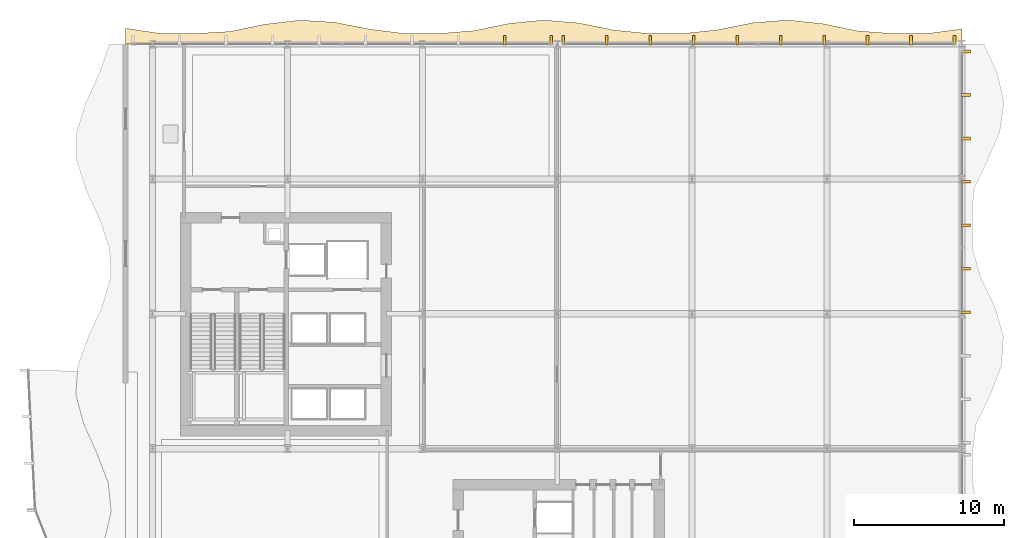
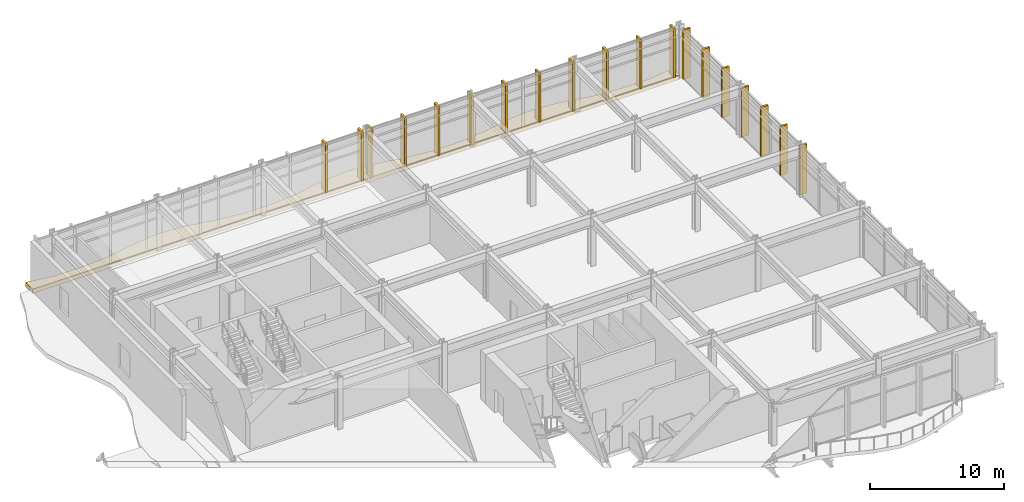
# One storey, part 28 of 29: 20 coverings.
"""IFC4 building model written with IfcOpenShell, lengths in metres."""

from ifc_helpers import new_model, si_unit, direction, frame, origin, origin_2d, place, context, subcontext, project, spatial, polyline, rectangle, outline, extrude, material, layer, layer_set, type_object, element, save


model = new_model("IFC4")

# Units and contexts
model_context = context("Model", 3, precision=1e-05, world=origin(), true_north=direction((0.0, 1.0)))
body_context = subcontext(model_context, "Body", "Model", "MODEL_VIEW")
ifc_project = project(units=[si_unit("LENGTHUNIT", "METRE"), si_unit("AREAUNIT", "SQUARE_METRE"), si_unit("VOLUMEUNIT", "CUBIC_METRE"), si_unit("PLANEANGLEUNIT", "RADIAN"), si_unit("MASSUNIT", "GRAM", prefix="KILO")], contexts=[model_context])

# Site, building, storey
site_placement = place(None, origin())
site = spatial("IfcSite", under=ifc_project, at=site_placement, CompositionType="ELEMENT")
building_placement = place(site_placement, origin())
building = spatial("IfcBuilding", under=site, at=building_placement, Name="Solvaryn Broadcast Tower", CompositionType="ELEMENT")
storey_placement = place(building_placement, frame((0.0, 0.0, 21.199951171875)))
storey = spatial("IfcBuildingStorey", under=building, at=storey_placement, Name="L04", CompositionType="ELEMENT", Elevation=21.199951171875)

# Coverings
ifc_material_1 = material(Name="Extruded Architectural Terracotta Fin", Category="masonry")
ifc_layer_1 = layer(ifc_material_1, 0.179931640625)
ifc_layer_set_1 = layer_set([ifc_layer_1], Name="CV-TC-FIN")
covering_type_1 = type_object("IfcCoveringType", Name="CV-TC-FIN", PredefinedType="USERDEFINED", material=ifc_layer_set_1)
for number, where, z_axis, x_axis, name in (
    (1, (32.5, 54.25, 0.0), (0.0, 0.0, 1.0), (1.0, 0.0, 0.0), "L04 Terracotta Vertical Fin FIN-POD-L04-N1-08"),
    (2, (35.60009765625, 54.25, 0.0), (0.0, 0.0, 1.0), (1.0, 0.0, 0.0), "L04 Terracotta Vertical Fin FIN-POD-L04-N1-09"),
    (3, (36.39990234375, 54.25, 0.0), (0.0, 0.0, 1.0), (1.0, 0.0, 0.0), "L04 Terracotta Vertical Fin FIN-POD-L04-N2-00"),
    (4, (39.300048828125, 54.25, 0.0), (0.0, 0.0, 1.0), (1.0, 0.0, 0.0), "L04 Terracotta Vertical Fin FIN-POD-L04-N2-01"),
    (5, (42.199951171875, 54.25, 0.0), (0.0, 0.0, 1.0), (1.0, 0.0, 0.0), "L04 Terracotta Vertical Fin FIN-POD-L04-N2-02"),
    (6, (45.10009765625, 54.25, 0.0), (0.0, 0.0, 1.0), (1.0, 0.0, 0.0), "L04 Terracotta Vertical Fin FIN-POD-L04-N2-03"),
    (7, (48.0, 54.25, 0.0), (0.0, 0.0, 1.0), (1.0, 0.0, 0.0), "L04 Terracotta Vertical Fin FIN-POD-L04-N2-04"),
    (8, (50.89990234375, 54.25, 0.0), (0.0, 0.0, 1.0), (1.0, 0.0, 0.0), "L04 Terracotta Vertical Fin FIN-POD-L04-N2-05"),
    (9, (53.800048828125, 54.25, 0.0), (0.0, 0.0, 1.0), (1.0, 0.0, 0.0), "L04 Terracotta Vertical Fin FIN-POD-L04-N2-06"),
    (10, (56.699951171875, 54.25, 0.0), (0.0, 0.0, 1.0), (1.0, 0.0, 0.0), "L04 Terracotta Vertical Fin FIN-POD-L04-N2-07"),
    (11, (59.60009765625, 54.25, 0.0), (0.0, 0.0, 1.0), (1.0, 0.0, 0.0), "L04 Terracotta Vertical Fin FIN-POD-L04-N2-08"),
    (12, (62.5, 54.25, 0.0), (0.0, 0.0, 1.0), (1.0, 0.0, 0.0), "L04 Terracotta Vertical Fin FIN-POD-L04-N2-09"),
):
    element("IfcCovering", number, at=place(storey_placement, frame(where, z_axis=z_axis, x_axis=x_axis)), inside=storey, type_object=covering_type_1, Name=name, ObjectType="FIN", PredefinedType="USERDEFINED", context=body_context, shape_type="SweptSolid", body=[
        extrude(rectangle(XDim=0.179931640625, YDim=0.6201171875, at=origin_2d()), origin(), (0.0, 0.0, 1.0), 4.47998046875),
    ])
for number, where, z_axis, x_axis, name in (
    (13, (63.25, 53.5, 0.0), (0.0, 0.0, 1.0), (1.0, 0.0, 0.0), "L04 Terracotta Vertical Fin FIN-POD-L04-E1-00"),
    (14, (63.25, 50.60009765625, 0.0), (0.0, 0.0, 1.0), (1.0, 0.0, 0.0), "L04 Terracotta Vertical Fin FIN-POD-L04-E1-01"),
    (15, (63.25, 47.699951171875, 0.0), (0.0, 0.0, 1.0), (1.0, 0.0, 0.0), "L04 Terracotta Vertical Fin FIN-POD-L04-E1-02"),
    (16, (63.25, 44.800048828125, 0.0), (0.0, 0.0, 1.0), (1.0, 0.0, 0.0), "L04 Terracotta Vertical Fin FIN-POD-L04-E1-03"),
    (17, (63.25, 41.89990234375, 0.0), (0.0, 0.0, 1.0), (1.0, 0.0, 0.0), "L04 Terracotta Vertical Fin FIN-POD-L04-E1-04"),
    (18, (63.25, 39.0, 0.0), (0.0, 0.0, 1.0), (1.0, 0.0, 0.0), "L04 Terracotta Vertical Fin FIN-POD-L04-E1-05"),
    (19, (63.25, 36.10009765625, 0.0), (0.0, 0.0, 1.0), (1.0, 0.0, 0.0), "L04 Terracotta Vertical Fin FIN-POD-L04-E1-06"),
):
    element("IfcCovering", number, at=place(storey_placement, frame(where, z_axis=z_axis, x_axis=x_axis)), inside=storey, type_object=covering_type_1, Name=name, ObjectType="FIN", PredefinedType="USERDEFINED", context=body_context, shape_type="SweptSolid", body=[
        extrude(rectangle(XDim=0.6201171875, YDim=0.179931640625, at=origin_2d()), origin(), (0.0, 0.0, 1.0), 4.47998046875),
    ])
ifc_material_2 = material(Name="Sculpted Architectural Terracotta Wave Fascia", Category="masonry")
ifc_layer_2 = layer(ifc_material_2, 0.340087890625)
ifc_layer_set_2 = layer_set([ifc_layer_2], Name="CV-WAVE-TRAY")
covering_type_2 = type_object("IfcCoveringType", Name="CV-WAVE-TRAY", PredefinedType="CLADDING", material=ifc_layer_set_2)
covering_placement = place(storey_placement, frame((0.0, 0.0, -0.35986328125)))
element("IfcCovering", 20, at=covering_placement, inside=storey, type_object=covering_type_2, Name="L04 Spreading Wave Tray Apron N", PredefinedType="CLADDING", context=body_context, shape_type="SweptSolid", body=[
    extrude(outline(polyline([(7.199951171875, 54.0), (9.52490234375, 54.0), (11.85009765625, 54.0), (14.175048828125, 54.0), (16.5, 54.0), (18.824951171875, 54.0), (21.14990234375, 54.0), (23.47509765625, 54.0), (25.800048828125, 54.0), (28.125, 54.0), (30.449951171875, 54.0), (32.77490234375, 54.0), (35.10009765625, 54.0), (37.425048828125, 54.0), (39.75, 54.0), (42.074951171875, 54.0), (44.39990234375, 54.0), (46.72509765625, 54.0), (49.050048828125, 54.0), (51.375, 54.0), (53.699951171875, 54.0), (56.02490234375, 54.0), (58.35009765625, 54.0), (60.675048828125, 54.0), (63.0, 54.0), (63.0, 55.007080078125), (60.675048828125, 54.699951171875), (58.35009765625, 54.699951171875), (56.02490234375, 54.875), (53.699951171875, 55.35595703125), (51.375, 55.59912109375), (49.050048828125, 55.4150390625), (46.72509765625, 54.947998046875), (44.39990234375, 54.699951171875), (42.074951171875, 54.699951171875), (39.75, 54.931884765625), (37.425048828125, 55.403076171875), (35.10009765625, 55.60009765625), (32.77490234375, 55.368896484375), (30.449951171875, 54.889892578125), (28.125, 54.699951171875), (25.800048828125, 54.699951171875), (23.47509765625, 54.990966796875), (21.14990234375, 55.446044921875), (18.824951171875, 55.593994140625), (16.5, 55.319091796875), (14.175048828125, 54.8349609375), (11.85009765625, 54.699951171875), (9.52490234375, 54.699951171875), (7.199951171875, 55.050048828125), (7.199951171875, 54.0)])), origin(), (0.0, 0.0, 1.0), 0.39990234375),
])

save(model, "model.ifc")
